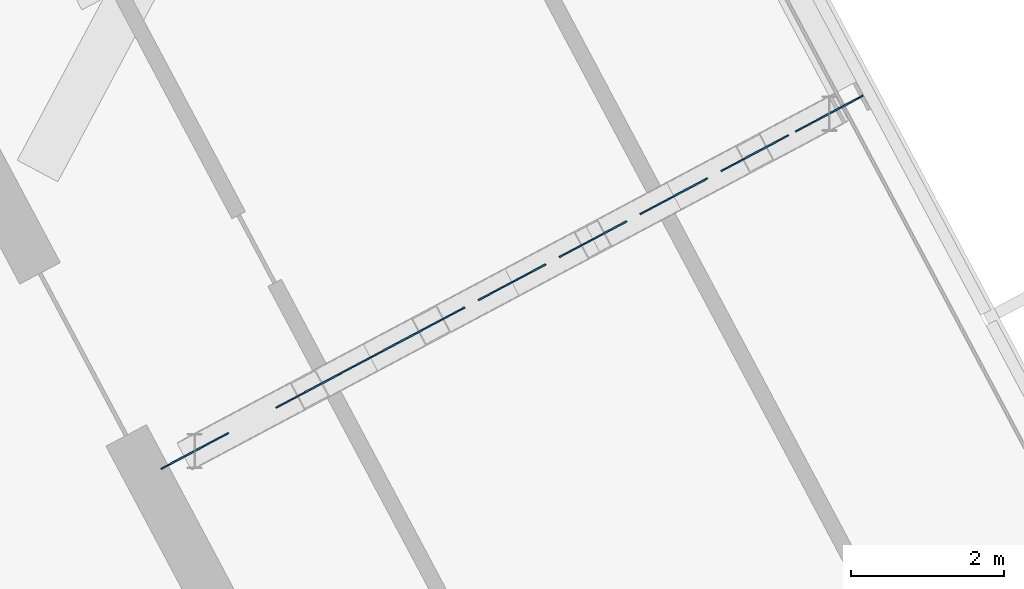
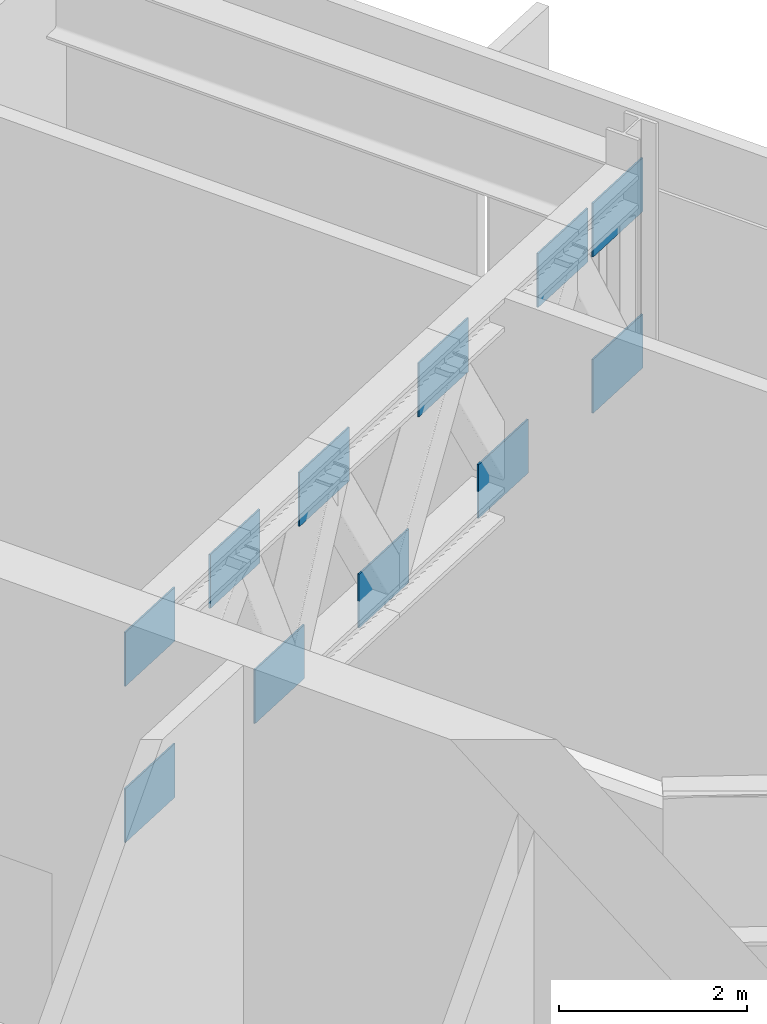
# One storey, part 20 of 33: 11 discrete accessories.
"""IFC4 building model written with IfcOpenShell, lengths in metres."""

from ifc_helpers import new_model, si_unit, direction, frame, origin, origin_2d, place, context, subcontext, project, spatial, rectangle, extrude, material, layer, layer_set, type_object, element, save


model = new_model("IFC4")

# Units and contexts
model_context = context("Model", 3, precision=1e-05, world=origin(), true_north=direction((0.0, 1.0)))
body_context = subcontext(model_context, "Body", "Model", "MODEL_VIEW")
ifc_project = project(units=[si_unit("LENGTHUNIT", "METRE"), si_unit("AREAUNIT", "SQUARE_METRE"), si_unit("VOLUMEUNIT", "CUBIC_METRE"), si_unit("PLANEANGLEUNIT", "RADIAN"), si_unit("MASSUNIT", "GRAM", prefix="KILO")], contexts=[model_context])

# Site, building, storey
site_placement = place(None, origin())
site = spatial("IfcSite", under=ifc_project, at=site_placement, CompositionType="ELEMENT")
building_placement = place(site_placement, origin())
building = spatial("IfcBuilding", under=site, at=building_placement, Name="Cormorant Relay Tower", CompositionType="ELEMENT")
storey_placement = place(building_placement, frame((0.0, 0.0, 252.0)))
storey = spatial("IfcBuildingStorey", under=building, at=storey_placement, Name="L56", CompositionType="ELEMENT", Elevation=252.0)

# Discrete accessories
ifc_material = material(Name="Steel ASTM A572 Grade 50 (Fy 345 MPa)", Category="steel")
ifc_layer = layer(ifc_material, 0.02001953125)
ifc_layer_set = layer_set([ifc_layer], Name="Gusset plate 20 truss node")
discrete_accessory_type = type_object("IfcDiscreteAccessoryType", Name="Gusset plate 20 truss node", PredefinedType="BRACKET", material=ifc_layer_set)
for number, where, z_axis, x_axis, name in (
    (1, (33.635986328125, 17.884521484375, 2.734375), (0.0, 0.0, 1.0), (0.88295906395, 0.469449988166, 0.0), "Gusset plate L56-06 N01"),
    (2, (35.93359375, 19.106201171875, 2.734375), (0.0, 0.0, 1.0), (0.88295906395, 0.469449988166, 0.0), "Gusset plate L56-06 N02"),
    (3, (37.7841796875, 20.09033203125, 2.734375), (0.0, 0.0, 1.0), (0.882965618622, 0.469437659686, 0.0), "Gusset plate L56-06 N03"),
    (4, (39.900390625, 21.21533203125, 2.734375), (0.0, 0.0, 1.0), (0.882965618622, 0.469437659686, 0.0), "Gusset plate L56-06 N04"),
    (5, (41.9326171875, 22.2958984375, 2.734375), (0.0, 0.0, 1.0), (0.8829393989, 0.469486973057, 0.0), "Gusset plate L56-06 N05"),
    (6, (33.635986328125, 17.884521484375, 4.765625), (0.0, 0.0, 1.0), (0.882956605903, 0.469454611322, 0.0), "Gusset plate L56-06 N06"),
    (7, (35.14111328125, 18.684814453125, 4.765625), (0.0, 0.0, 1.0), (0.882956605903, 0.469454611322, 0.0), "Gusset plate L56-06 N07"),
    (8, (36.726318359375, 19.527587890625, 4.765625), (0.0, 0.0, 1.0), (0.88294841224, 0.469470021751, 0.0), "Gusset plate L56-06 N08"),
    (9, (38.84228515625, 20.65283203125, 4.765625), (0.0, 0.0, 1.0), (0.88294841224, 0.469470021751, 0.0), "Gusset plate L56-06 N09"),
    (10, (40.95849609375, 21.778076171875, 4.765625), (0.0, 0.0, 1.0), (0.882956605903, 0.469454611322, 0.0), "Gusset plate L56-06 N10"),
    (11, (41.9326171875, 22.2958984375, 4.765625), (0.0, 0.0, 1.0), (0.88294841224, 0.469470021751, 0.0), "Gusset plate L56-06 N11"),
):
    element("IfcDiscreteAccessory", number, at=place(storey_placement, frame(where, z_axis=z_axis, x_axis=x_axis)), inside=storey, type_object=discrete_accessory_type, Name=name, PredefinedType="BRACKET", context=body_context, shape_type="SweptSolid", body=[
        extrude(rectangle(XDim=1.0, YDim=0.02001953125, at=origin_2d()), origin(), (0.0, 0.0, 1.0), 0.699951171875),
    ])

save(model, "model.ifc")
